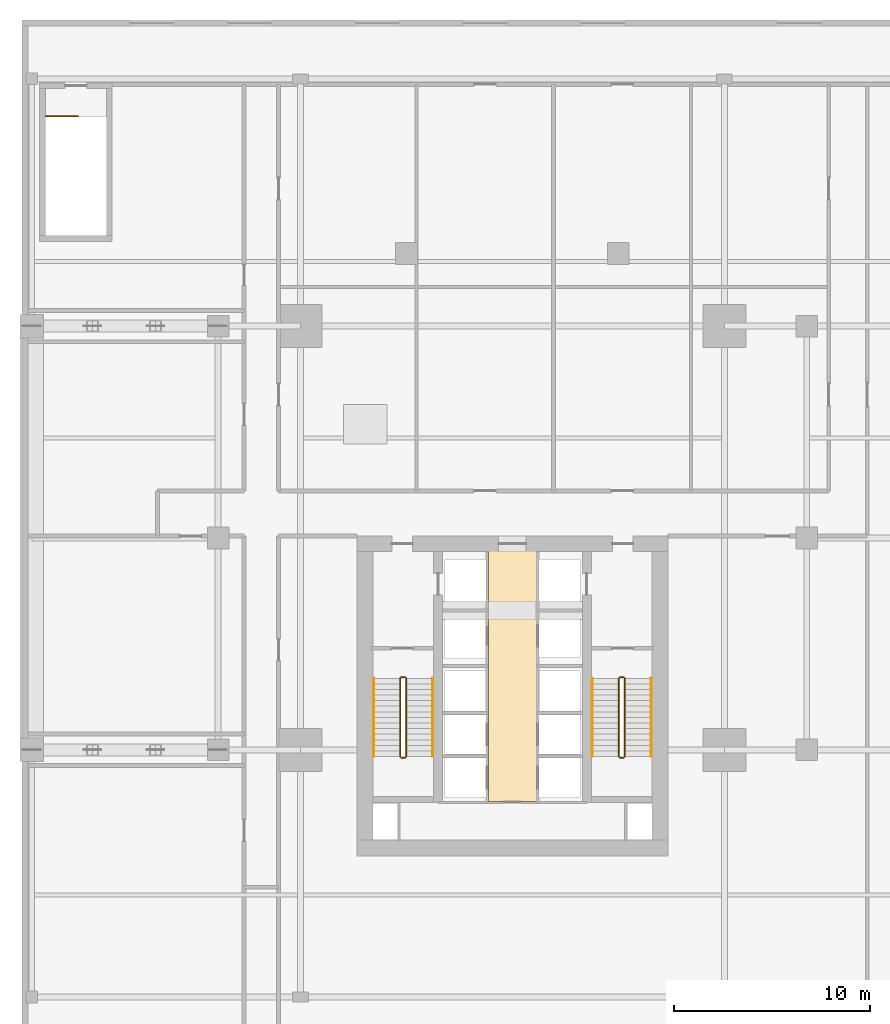
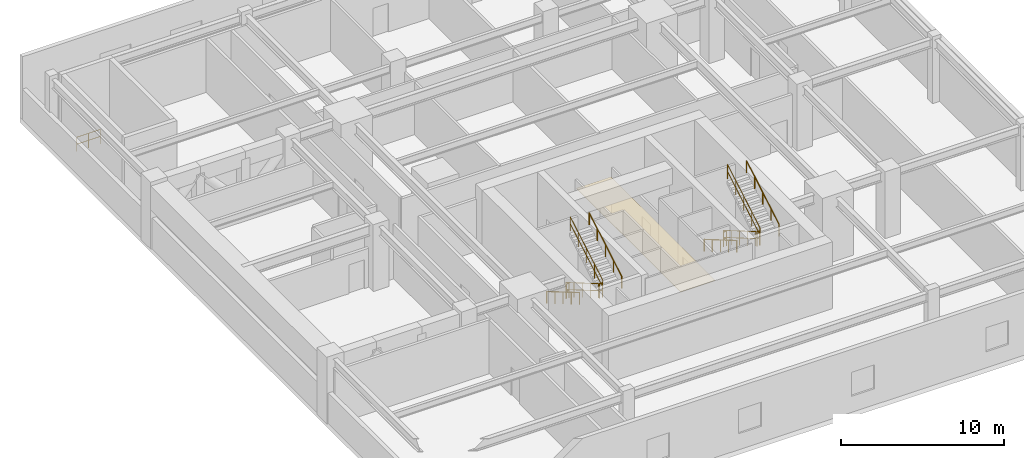
# One storey, part 6 of 7: 13 railings, 1 covering.
"""IFC4 building model written with IfcOpenShell, lengths in metres."""

import ifcopenshell
import ifcopenshell.guid

model = None  # the IFC model being written
_history = None  # IfcOwnerHistory: only IFC2X3 demands one
_inside = {}  # id of a spatial element -> (the spatial element, [elements in it])
_under = {}  # id of a project, library or spatial element -> (it, [spatial elements below it])
_declared = {}  # id of a project -> (the project, [libraries it declares])
_typed = {}  # id of a type object -> (the type object, [elements of that type])
_made_of = {}  # id of a material, layer set ... -> (it, [elements and type objects made of it])


def new_model(schema):
    """Start an empty IFC model of exactly this schema.

    Asked for "IFC4X3", IfcOpenShell would pick the latest addendum, in which some entities
    have other attributes; the version numbers below select the first issue.
    IFC2X3 requires an IfcOwnerHistory on every rooted entity: one is made here for all.
    """
    global model, _history
    if schema == "IFC4X3":
        model = ifcopenshell.file(schema_version=(4, 3, 0, 0))
    else:
        model = ifcopenshell.file(schema=schema)
    _inside.clear()
    _under.clear()
    _declared.clear()
    _typed.clear()
    _made_of.clear()
    _history = None
    if model.schema == "IFC2X3":
        org = make("IfcOrganization", Name="unknown")
        user = make(
            "IfcPersonAndOrganization",
            ThePerson=make("IfcPerson", FamilyName="unknown"),
            TheOrganization=org,
        )
        app = make(
            "IfcApplication",
            ApplicationDeveloper=org,
            Version="unknown",
            ApplicationFullName="unknown",
            ApplicationIdentifier="unknown",
        )
        _history = make(
            "IfcOwnerHistory",
            OwningUser=user,
            OwningApplication=app,
            ChangeAction="ADDED",
            CreationDate=0,
        )
    return model


def make(cls, **values):
    """One entity of the class cls with the attributes given. An attribute that is None is left unset."""
    return model.create_entity(
        cls, **{name: value for name, value in values.items() if value is not None}
    )


def rooted(cls, **values):
    """An entity with a GlobalId (a new one), such as an element, a storey or a relation."""
    return make(cls, GlobalId=ifcopenshell.guid.new(), OwnerHistory=_history, **values)


def si_unit(unit_type, name, prefix=None):
    """IfcSIUnit, for example si_unit("LENGTHUNIT", "METRE", prefix="MILLI")."""
    return make("IfcSIUnit", UnitType=unit_type, Prefix=prefix, Name=name)


def assignment(units):
    """IfcUnitAssignment: the units of a project."""
    return None if units is None else make("IfcUnitAssignment", Units=units)


def point(xyz):
    """IfcCartesianPoint."""
    return None if xyz is None else make("IfcCartesianPoint", Coordinates=xyz)


def direction(xyz):
    """IfcDirection."""
    return None if xyz is None else make("IfcDirection", DirectionRatios=xyz)


def frame(location, z_axis=None, x_axis=None):
    """IfcAxis2Placement3D, a coordinate frame: its origin and axes. An axis left out is left unset."""
    return make(
        "IfcAxis2Placement3D",
        Location=point(location),
        Axis=direction(z_axis),
        RefDirection=direction(x_axis),
    )


def frame_2d(location, x_axis=None):
    """IfcAxis2Placement2D, a coordinate frame in the plane: its origin and x axis."""
    return make(
        "IfcAxis2Placement2D", Location=point(location), RefDirection=direction(x_axis)
    )


def origin():
    """The frame at (0, 0, 0) with its axes left unset."""
    return frame((0.0, 0.0, 0.0))


def origin_2d():
    """The frame at (0, 0) in the plane with its x axis left unset."""
    return frame_2d((0.0, 0.0))


def place(relative_to, where):
    """IfcLocalPlacement: puts the frame where relative to a parent placement (None: the world)."""
    return make(
        "IfcLocalPlacement", PlacementRelTo=relative_to, RelativePlacement=where
    )


def context(
    kind, dimensions, precision=None, world=None, true_north=None, identifier=None
):
    """IfcGeometricRepresentationContext, for example the 3D "Model" context."""
    return make(
        "IfcGeometricRepresentationContext",
        ContextIdentifier=identifier,
        ContextType=kind,
        CoordinateSpaceDimension=dimensions,
        Precision=precision,
        WorldCoordinateSystem=world,
        TrueNorth=true_north,
    )


def subcontext(parent, identifier, kind, view, scale=None):
    """IfcGeometricRepresentationSubContext, for example "Body" below "Model"."""
    return make(
        "IfcGeometricRepresentationSubContext",
        ContextIdentifier=identifier,
        ContextType=kind,
        ParentContext=parent,
        TargetScale=scale,
        TargetView=view,
    )


def project(units=None, contexts=None):
    """IfcProject with its units and contexts."""
    return rooted(
        "IfcProject",
        Name="project",
        RepresentationContexts=contexts,
        UnitsInContext=assignment(units),
    )


def spatial(cls, under=None, at=None, **own):
    """A site, building, storey or space (cls), placed at a placement, below another one or the project."""
    s = rooted(cls, ObjectPlacement=at, **own)
    if under is not None:
        _under.setdefault(under.id(), (under, []))[1].append(s)
    return s


def polyline(points):
    """IfcPolyline through the points."""
    return make("IfcPolyline", Points=[point(p) for p in points])


def profile(cls, at=None, kind="AREA", **sizes):
    """A parametric profile (cls). Its sizes go by their IFC names, for example OverallWidth=200.0."""
    return make(cls, ProfileType=kind, Position=at, **sizes)


def circle(**sizes):
    """IfcCircleProfileDef."""
    return profile("IfcCircleProfileDef", **sizes)


def outline(outer, holes=None, kind="AREA"):
    """IfcArbitraryClosedProfileDef: a profile drawn as a closed curve; with holes, ...WithVoids."""
    if holes is None:
        return make("IfcArbitraryClosedProfileDef", ProfileType=kind, OuterCurve=outer)
    return make(
        "IfcArbitraryProfileDefWithVoids",
        ProfileType=kind,
        OuterCurve=outer,
        InnerCurves=holes,
    )


def extrude(swept, where, along, depth):
    """IfcExtrudedAreaSolid: the profile swept, set in the frame where, extruded along a direction by depth."""
    return make(
        "IfcExtrudedAreaSolid",
        SweptArea=swept,
        Position=where,
        ExtrudedDirection=direction(along),
        Depth=depth,
    )


def shape(context_of_items, identifier, shape_type, items):
    """IfcShapeRepresentation: the items that make up one representation, for example the "Body"."""
    return make(
        "IfcShapeRepresentation",
        ContextOfItems=context_of_items,
        RepresentationIdentifier=identifier,
        RepresentationType=shape_type,
        Items=items,
    )


def material(Name=None, Category=None):
    """IfcMaterial."""
    return make("IfcMaterial", Name=Name, Category=Category)


def layer(
    of_material, thickness, ventilated=None, Name=None, Category=None, Priority=None
):
    """IfcMaterialLayer: one layer of a wall or slab, of a material (None: an air gap)."""
    return make(
        "IfcMaterialLayer",
        Material=of_material,
        LayerThickness=thickness,
        IsVentilated=ventilated,
        Name=Name,
        Category=Category,
        Priority=Priority,
    )


def layer_set(layers, Name=None):
    """IfcMaterialLayerSet."""
    return make("IfcMaterialLayerSet", MaterialLayers=layers, LayerSetName=Name)


def made_of(thing, what):
    """Note that an element or type object is made of a material, layer set ...; save() writes the relation."""
    if what is not None:
        _made_of.setdefault(what.id(), (what, []))[1].append(thing)
    return thing


def type_object(cls, material=None, **own):
    """A type object (cls), such as IfcWallType, which elements share."""
    return made_of(rooted(cls, **own), material)


def element(
    cls,
    number,
    at=None,
    inside=None,
    cuts=None,
    type_object=None,
    material=None,
    context=None,
    identifier="Body",
    shape_type=None,
    held_by="IfcProductDefinitionShape",
    body=None,
    shapes=None,
    **own,
):
    """One element of the class cls, such as IfcWall. Its Tag is "e" and its number.

    at: its placement. inside: the storey or other place that contains it. cuts: it is an
    opening in that element (IfcRelVoidsElement). A single representation is given by context,
    identifier, shape_type and body (its items); several are given by shapes. held_by: the class
    of the entity that holds the representations. save() writes the other relations.
    """
    e = rooted(cls, Tag="e%d" % number, ObjectPlacement=at, **own)
    if body is not None:
        shapes = [shape(context, identifier, shape_type, body)]
    if shapes is not None:
        e.Representation = make(held_by, Representations=shapes)
    if inside is not None:
        _inside.setdefault(inside.id(), (inside, []))[1].append(e)
    if cuts is not None:
        rooted(
            "IfcRelVoidsElement", RelatingBuildingElement=cuts, RelatedOpeningElement=e
        )
    if type_object is not None:
        _typed.setdefault(type_object.id(), (type_object, []))[1].append(e)
    return made_of(e, material)


def aggregate(whole, parts):
    """IfcRelAggregates: a whole, such as a stair, and the parts it consists of."""
    return rooted("IfcRelAggregates", RelatingObject=whole, RelatedObjects=parts)


def save(model, path):
    """Write the relations noted so far, then the file.

    IfcRelAggregates (storeys below a building ...), IfcRelContainedInSpatialStructure (elements
    in a storey), IfcRelDefinesByType, IfcRelAssociatesMaterial and IfcRelDeclares: one each for
    every whole, place, type object, material and project.
    """
    for whole, parts in _under.values():
        aggregate(whole, parts)
    for where, things in _inside.values():
        rooted(
            "IfcRelContainedInSpatialStructure",
            RelatedElements=things,
            RelatingStructure=where,
        )
    for kind, things in _typed.values():
        rooted("IfcRelDefinesByType", RelatedObjects=things, RelatingType=kind)
    for what, things in _made_of.values():
        rooted("IfcRelAssociatesMaterial", RelatedObjects=things, RelatingMaterial=what)
    for by, libraries in _declared.values():
        rooted("IfcRelDeclares", RelatingContext=by, RelatedDefinitions=libraries)
    model.write(path)


model = new_model("IFC4")

# Units and contexts
model_context = context("Model", 3, precision=1e-05, world=origin(), true_north=direction((0.0, 1.0)))
body_context = subcontext(model_context, "Body", "Model", "MODEL_VIEW")
ifc_project = project(units=[si_unit("LENGTHUNIT", "METRE"), si_unit("AREAUNIT", "SQUARE_METRE"), si_unit("VOLUMEUNIT", "CUBIC_METRE"), si_unit("PLANEANGLEUNIT", "RADIAN"), si_unit("MASSUNIT", "GRAM", prefix="KILO")], contexts=[model_context])

# Site, building, storey
site_placement = place(None, origin())
site = spatial("IfcSite", under=ifc_project, at=site_placement, CompositionType="ELEMENT")
building_placement = place(site_placement, origin())
building = spatial("IfcBuilding", under=site, at=building_placement, Name="Krantzveldt Concourse Tower", CompositionType="ELEMENT")
storey_placement = place(building_placement, frame((0.0, 0.0, 20.0)))
storey = spatial("IfcBuildingStorey", under=building, at=storey_placement, Name="L04", CompositionType="ELEMENT", Elevation=20.0)

# Covering
ifc_material_1 = material(Name="Perforated acoustic mineral-fibre ceiling tile", Category="ceiling")
ifc_layer_1 = layer(ifc_material_1, 0.0400390625, Name="Perforated acoustic mineral-fibre ceiling tile", Category="ceiling")
ifc_layer_set_1 = layer_set([ifc_layer_1], Name="Perforated acoustic mineral-fibre ceiling tile (COV-CEIL-ACOUSTIC)")
covering_type = type_object("IfcCoveringType", Name="COV-CEIL-ACOUSTIC", PredefinedType="CEILING", material=ifc_layer_set_1)
covering_placement = place(storey_placement, frame((0.0, 0.0, 2.75)))
element("IfcCovering", 1, at=covering_placement, inside=storey, type_object=covering_type, Name="CLG-L04-LLB", PredefinedType="CEILING", context=body_context, shape_type="SweptSolid", body=[
    extrude(outline(polyline([(34.77490234375, 13.27490234375), (34.77490234375, 26.044921875), (37.22509765625, 26.044921875), (37.22509765625, 13.27490234375), (34.77490234375, 13.27490234375)])), origin(), (0.0, 0.0, 1.0), 0.0400390625),
])

# Railings
ifc_material_2 = material(Name="Stainless steel 316L", Category="steel")
ifc_layer_2 = layer(ifc_material_2, 0.06005859375, Name="Stainless steel 316L", Category="steel")
ifc_layer_set_2 = layer_set([ifc_layer_2], Name="Stainless steel 316L (RL-GUARD-1120)")
railing_type_1 = type_object("IfcRailingType", Name="RL-GUARD-1120", PredefinedType="GUARDRAIL", material=ifc_layer_set_2)
railing_1_placement = place(storey_placement, frame((30.280029296875, 19.550048828125, 0.166748046875)))
element("IfcRailing", 2, at=railing_1_placement, inside=storey, type_object=railing_type_1, Name="L04 ST-1 stair guard 1", PredefinedType="GUARDRAIL", context=body_context, shape_type="SweptSolid", body=[
    extrude(circle(Radius=0.02392578125, at=origin_2d()), frame((0.0, 0.0, 1.076171875), z_axis=(0.0, -0.863236243904, 0.504800145811), x_axis=(1.0, 0.0, 0.0)), (0.0, 0.0, 1.0), 4.6220703125),
    extrude(circle(Radius=0.02392578125, at=origin_2d()), frame((0.0, 0.0, 0.550048828125), z_axis=(0.0, -0.863236243904, 0.504800145811), x_axis=(1.0, 0.0, 0.0)), (0.0, 0.0, 1.0), 4.6220703125),
    extrude(circle(Radius=0.02099609375, at=origin_2d()), origin(), (0.0, 0.0, 1.0), 1.052001953125),
    extrude(circle(Radius=0.02099609375, at=origin_2d()), frame((0.0, -0.99755859375, 0.583251953125)), (0.0, 0.0, 1.0), 1.052001953125),
    extrude(circle(Radius=0.02099609375, at=origin_2d()), frame((0.0, -1.9951171875, 1.16650390625)), (0.0, 0.0, 1.0), 1.052001953125),
    extrude(circle(Radius=0.02099609375, at=origin_2d()), frame((0.0, -2.992431640625, 1.75)), (0.0, 0.0, 1.0), 1.052001953125),
    extrude(circle(Radius=0.02099609375, at=origin_2d()), frame((0.0, -3.989990234375, 2.333251953125)), (0.0, 0.0, 1.0), 1.052001953125),
])
railing_2_placement = place(storey_placement, frame((30.330078125, 15.510009765625, 2.5)))
element("IfcRailing", 3, at=railing_2_placement, inside=storey, type_object=railing_type_1, Name="L04 ST-1 stair guard 2", PredefinedType="GUARDRAIL", context=body_context, shape_type="SweptSolid", body=[
    extrude(circle(Radius=0.02392578125, at=origin_2d()), frame((0.0, 0.0, 1.076171875), z_axis=(1.0, 0.0, 0.0), x_axis=(0.0, 1.0, 0.0)), (0.0, 0.0, 1.0), 0.199951171875),
    extrude(circle(Radius=0.02392578125, at=origin_2d()), frame((0.0, 0.0, 0.550048828125), z_axis=(1.0, 0.0, 0.0), x_axis=(0.0, 1.0, 0.0)), (0.0, 0.0, 1.0), 0.199951171875),
    extrude(circle(Radius=0.02099609375, at=origin_2d()), origin(), (0.0, 0.0, 1.0), 1.052001953125),
    extrude(circle(Radius=0.02099609375, at=origin_2d()), frame((0.199951171875, 0.0, 0.0)), (0.0, 0.0, 1.0), 1.052001953125),
])
railing_3_placement = place(storey_placement, frame((30.580078125, 15.56005859375, 2.666748046875)))
element("IfcRailing", 4, at=railing_3_placement, inside=storey, type_object=railing_type_1, Name="L04 ST-1 stair guard 3", PredefinedType="GUARDRAIL", context=body_context, shape_type="SweptSolid", body=[
    extrude(circle(Radius=0.02392578125, at=origin_2d()), frame((0.0, 0.0, 1.076171875), z_axis=(0.0, 0.863236243904, 0.504800145811), x_axis=(-1.0, 0.0, 0.0)), (0.0, 0.0, 1.0), 4.6220703125),
    extrude(circle(Radius=0.02392578125, at=origin_2d()), frame((0.0, 0.0, 0.550048828125), z_axis=(0.0, 0.863236243904, 0.504800145811), x_axis=(-1.0, 0.0, 0.0)), (0.0, 0.0, 1.0), 4.6220703125),
    extrude(circle(Radius=0.02099609375, at=origin_2d()), origin(), (0.0, 0.0, 1.0), 1.052001953125),
    extrude(circle(Radius=0.02099609375, at=origin_2d()), frame((0.0, 0.99755859375, 0.583251953125)), (0.0, 0.0, 1.0), 1.052001953125),
    extrude(circle(Radius=0.02099609375, at=origin_2d()), frame((0.0, 1.9951171875, 1.16650390625)), (0.0, 0.0, 1.0), 1.052001953125),
    extrude(circle(Radius=0.02099609375, at=origin_2d()), frame((0.0, 2.992431640625, 1.75)), (0.0, 0.0, 1.0), 1.052001953125),
    extrude(circle(Radius=0.02099609375, at=origin_2d()), frame((0.0, 3.989990234375, 2.333251953125)), (0.0, 0.0, 1.0), 1.052001953125),
])
railing_4_placement = place(storey_placement, frame((30.330078125, 19.60009765625, 0.0)))
element("IfcRailing", 5, at=railing_4_placement, inside=storey, type_object=railing_type_1, Name="L04 ST-1 stair guard 4", PredefinedType="GUARDRAIL", context=body_context, shape_type="SweptSolid", body=[
    extrude(circle(Radius=0.02392578125, at=origin_2d()), frame((0.0, 0.0, 1.076171875), z_axis=(1.0, 0.0, 0.0), x_axis=(0.0, 1.0, 0.0)), (0.0, 0.0, 1.0), 0.199951171875),
    extrude(circle(Radius=0.02392578125, at=origin_2d()), frame((0.0, 0.0, 0.550048828125), z_axis=(1.0, 0.0, 0.0), x_axis=(0.0, 1.0, 0.0)), (0.0, 0.0, 1.0), 0.199951171875),
    extrude(circle(Radius=0.02099609375, at=origin_2d()), origin(), (0.0, 0.0, 1.0), 1.052001953125),
    extrude(circle(Radius=0.02099609375, at=origin_2d()), frame((0.199951171875, 0.0, 0.0)), (0.0, 0.0, 1.0), 1.052001953125),
])
railing_5_placement = place(storey_placement, frame((41.419921875, 19.550048828125, 0.166748046875)))
element("IfcRailing", 6, at=railing_5_placement, inside=storey, type_object=railing_type_1, Name="L04 ST-2 stair guard 1", PredefinedType="GUARDRAIL", context=body_context, shape_type="SweptSolid", body=[
    extrude(circle(Radius=0.02392578125, at=origin_2d()), frame((0.0, 0.0, 1.076171875), z_axis=(0.0, -0.863236243904, 0.504800145811), x_axis=(1.0, 0.0, 0.0)), (0.0, 0.0, 1.0), 4.6220703125),
    extrude(circle(Radius=0.02392578125, at=origin_2d()), frame((0.0, 0.0, 0.550048828125), z_axis=(0.0, -0.863236243904, 0.504800145811), x_axis=(1.0, 0.0, 0.0)), (0.0, 0.0, 1.0), 4.6220703125),
    extrude(circle(Radius=0.02099609375, at=origin_2d()), origin(), (0.0, 0.0, 1.0), 1.052001953125),
    extrude(circle(Radius=0.02099609375, at=origin_2d()), frame((0.0, -0.99755859375, 0.583251953125)), (0.0, 0.0, 1.0), 1.052001953125),
    extrude(circle(Radius=0.02099609375, at=origin_2d()), frame((0.0, -1.9951171875, 1.16650390625)), (0.0, 0.0, 1.0), 1.052001953125),
    extrude(circle(Radius=0.02099609375, at=origin_2d()), frame((0.0, -2.992431640625, 1.75)), (0.0, 0.0, 1.0), 1.052001953125),
    extrude(circle(Radius=0.02099609375, at=origin_2d()), frame((0.0, -3.989990234375, 2.333251953125)), (0.0, 0.0, 1.0), 1.052001953125),
])
railing_6_placement = place(storey_placement, frame((41.469970703125, 15.510009765625, 2.5)))
element("IfcRailing", 7, at=railing_6_placement, inside=storey, type_object=railing_type_1, Name="L04 ST-2 stair guard 2", PredefinedType="GUARDRAIL", context=body_context, shape_type="SweptSolid", body=[
    extrude(circle(Radius=0.02392578125, at=origin_2d()), frame((0.0, 0.0, 1.076171875), z_axis=(1.0, 0.0, 0.0), x_axis=(0.0, 1.0, 0.0)), (0.0, 0.0, 1.0), 0.199951171875),
    extrude(circle(Radius=0.02392578125, at=origin_2d()), frame((0.0, 0.0, 0.550048828125), z_axis=(1.0, 0.0, 0.0), x_axis=(0.0, 1.0, 0.0)), (0.0, 0.0, 1.0), 0.199951171875),
    extrude(circle(Radius=0.02099609375, at=origin_2d()), origin(), (0.0, 0.0, 1.0), 1.052001953125),
    extrude(circle(Radius=0.02099609375, at=origin_2d()), frame((0.199951171875, 0.0, 0.0)), (0.0, 0.0, 1.0), 1.052001953125),
])
railing_7_placement = place(storey_placement, frame((41.719970703125, 15.56005859375, 2.666748046875)))
element("IfcRailing", 8, at=railing_7_placement, inside=storey, type_object=railing_type_1, Name="L04 ST-2 stair guard 3", PredefinedType="GUARDRAIL", context=body_context, shape_type="SweptSolid", body=[
    extrude(circle(Radius=0.02392578125, at=origin_2d()), frame((0.0, 0.0, 1.076171875), z_axis=(0.0, 0.863236243904, 0.504800145811), x_axis=(-1.0, 0.0, 0.0)), (0.0, 0.0, 1.0), 4.6220703125),
    extrude(circle(Radius=0.02392578125, at=origin_2d()), frame((0.0, 0.0, 0.550048828125), z_axis=(0.0, 0.863236243904, 0.504800145811), x_axis=(-1.0, 0.0, 0.0)), (0.0, 0.0, 1.0), 4.6220703125),
    extrude(circle(Radius=0.02099609375, at=origin_2d()), origin(), (0.0, 0.0, 1.0), 1.052001953125),
    extrude(circle(Radius=0.02099609375, at=origin_2d()), frame((0.0, 0.99755859375, 0.583251953125)), (0.0, 0.0, 1.0), 1.052001953125),
    extrude(circle(Radius=0.02099609375, at=origin_2d()), frame((0.0, 1.9951171875, 1.16650390625)), (0.0, 0.0, 1.0), 1.052001953125),
    extrude(circle(Radius=0.02099609375, at=origin_2d()), frame((0.0, 2.992431640625, 1.75)), (0.0, 0.0, 1.0), 1.052001953125),
    extrude(circle(Radius=0.02099609375, at=origin_2d()), frame((0.0, 3.989990234375, 2.333251953125)), (0.0, 0.0, 1.0), 1.052001953125),
])
railing_8_placement = place(storey_placement, frame((41.469970703125, 19.60009765625, 0.0)))
element("IfcRailing", 9, at=railing_8_placement, inside=storey, type_object=railing_type_1, Name="L04 ST-2 stair guard 4", PredefinedType="GUARDRAIL", context=body_context, shape_type="SweptSolid", body=[
    extrude(circle(Radius=0.02392578125, at=origin_2d()), frame((0.0, 0.0, 1.076171875), z_axis=(1.0, 0.0, 0.0), x_axis=(0.0, 1.0, 0.0)), (0.0, 0.0, 1.0), 0.199951171875),
    extrude(circle(Radius=0.02392578125, at=origin_2d()), frame((0.0, 0.0, 0.550048828125), z_axis=(1.0, 0.0, 0.0), x_axis=(0.0, 1.0, 0.0)), (0.0, 0.0, 1.0), 0.199951171875),
    extrude(circle(Radius=0.02099609375, at=origin_2d()), origin(), (0.0, 0.0, 1.0), 1.052001953125),
    extrude(circle(Radius=0.02099609375, at=origin_2d()), frame((0.199951171875, 0.0, 0.0)), (0.0, 0.0, 1.0), 1.052001953125),
])
railing_9_placement = place(storey_placement, frame((12.199951171875, 48.199951171875, 0.0)))
element("IfcRailing", 10, at=railing_9_placement, inside=storey, type_object=railing_type_1, Name="L04 ST-3 top well guard 1", PredefinedType="GUARDRAIL", context=body_context, shape_type="SweptSolid", body=[
    extrude(circle(Radius=0.02392578125, at=origin_2d()), frame((0.0, 0.0, 1.076171875), z_axis=(1.0, 0.0, 0.0), x_axis=(0.0, 1.0, 0.0)), (0.0, 0.0, 1.0), 1.650146484375),
    extrude(circle(Radius=0.02392578125, at=origin_2d()), frame((0.0, 0.0, 0.550048828125), z_axis=(1.0, 0.0, 0.0), x_axis=(0.0, 1.0, 0.0)), (0.0, 0.0, 1.0), 1.650146484375),
    extrude(circle(Radius=0.02099609375, at=origin_2d()), origin(), (0.0, 0.0, 1.0), 1.052001953125),
    extrude(circle(Radius=0.02099609375, at=origin_2d()), frame((0.8251953125, 0.0, 0.0)), (0.0, 0.0, 1.0), 1.052001953125),
    extrude(circle(Radius=0.02099609375, at=origin_2d()), frame((1.650146484375, 0.0, 0.0)), (0.0, 0.0, 1.0), 1.052001953125),
])
ifc_layer_3 = layer(ifc_material_2, 0.050048828125, Name="Stainless steel 316L", Category="steel")
ifc_layer_set_3 = layer_set([ifc_layer_3], Name="Stainless steel 316L (RL-HANDRAIL-920)")
railing_type_2 = type_object("IfcRailingType", Name="RL-HANDRAIL-920", PredefinedType="HANDRAIL", material=ifc_layer_set_3)
railing_10_placement = place(storey_placement, frame((28.929931640625, 19.550048828125, 0.166748046875)))
element("IfcRailing", 11, at=railing_10_placement, inside=storey, type_object=railing_type_2, Name="L04 ST-1 stair handrail 1", PredefinedType="HANDRAIL", context=body_context, shape_type="SweptSolid", body=[
    extrude(circle(Radius=0.02392578125, at=origin_2d()), frame((0.0, 0.0, 0.8759765625), z_axis=(0.0, -0.863236243904, 0.504800145811), x_axis=(1.0, 0.0, 0.0)), (0.0, 0.0, 1.0), 4.6220703125),
    extrude(circle(Radius=0.02099609375, at=origin_2d()), origin(), (0.0, 0.0, 1.0), 0.851806640625),
    extrude(circle(Radius=0.02099609375, at=origin_2d()), frame((0.0, -0.99755859375, 0.583251953125)), (0.0, 0.0, 1.0), 0.851806640625),
    extrude(circle(Radius=0.02099609375, at=origin_2d()), frame((0.0, -1.9951171875, 1.16650390625)), (0.0, 0.0, 1.0), 0.851806640625),
    extrude(circle(Radius=0.02099609375, at=origin_2d()), frame((0.0, -2.992431640625, 1.75)), (0.0, 0.0, 1.0), 0.851806640625),
    extrude(circle(Radius=0.02099609375, at=origin_2d()), frame((0.0, -3.989990234375, 2.333251953125)), (0.0, 0.0, 1.0), 0.851806640625),
])
railing_11_placement = place(storey_placement, frame((31.929931640625, 15.56005859375, 2.666748046875)))
element("IfcRailing", 12, at=railing_11_placement, inside=storey, type_object=railing_type_2, Name="L04 ST-1 stair handrail 2", PredefinedType="HANDRAIL", context=body_context, shape_type="SweptSolid", body=[
    extrude(circle(Radius=0.02392578125, at=origin_2d()), frame((0.0, 0.0, 0.8759765625), z_axis=(0.0, 0.863236243904, 0.504800145811), x_axis=(-1.0, 0.0, 0.0)), (0.0, 0.0, 1.0), 4.6220703125),
    extrude(circle(Radius=0.02099609375, at=origin_2d()), origin(), (0.0, 0.0, 1.0), 0.851806640625),
    extrude(circle(Radius=0.02099609375, at=origin_2d()), frame((0.0, 0.99755859375, 0.583251953125)), (0.0, 0.0, 1.0), 0.851806640625),
    extrude(circle(Radius=0.02099609375, at=origin_2d()), frame((0.0, 1.9951171875, 1.16650390625)), (0.0, 0.0, 1.0), 0.851806640625),
    extrude(circle(Radius=0.02099609375, at=origin_2d()), frame((0.0, 2.992431640625, 1.75)), (0.0, 0.0, 1.0), 0.851806640625),
    extrude(circle(Radius=0.02099609375, at=origin_2d()), frame((0.0, 3.989990234375, 2.333251953125)), (0.0, 0.0, 1.0), 0.851806640625),
])
railing_12_placement = place(storey_placement, frame((40.070068359375, 19.550048828125, 0.166748046875)))
element("IfcRailing", 13, at=railing_12_placement, inside=storey, type_object=railing_type_2, Name="L04 ST-2 stair handrail 1", PredefinedType="HANDRAIL", context=body_context, shape_type="SweptSolid", body=[
    extrude(circle(Radius=0.02392578125, at=origin_2d()), frame((0.0, 0.0, 0.8759765625), z_axis=(0.0, -0.863236243904, 0.504800145811), x_axis=(1.0, 0.0, 0.0)), (0.0, 0.0, 1.0), 4.6220703125),
    extrude(circle(Radius=0.02099609375, at=origin_2d()), origin(), (0.0, 0.0, 1.0), 0.851806640625),
    extrude(circle(Radius=0.02099609375, at=origin_2d()), frame((0.0, -0.99755859375, 0.583251953125)), (0.0, 0.0, 1.0), 0.851806640625),
    extrude(circle(Radius=0.02099609375, at=origin_2d()), frame((0.0, -1.9951171875, 1.16650390625)), (0.0, 0.0, 1.0), 0.851806640625),
    extrude(circle(Radius=0.02099609375, at=origin_2d()), frame((0.0, -2.992431640625, 1.75)), (0.0, 0.0, 1.0), 0.851806640625),
    extrude(circle(Radius=0.02099609375, at=origin_2d()), frame((0.0, -3.989990234375, 2.333251953125)), (0.0, 0.0, 1.0), 0.851806640625),
])
railing_13_placement = place(storey_placement, frame((43.070068359375, 15.56005859375, 2.666748046875)))
element("IfcRailing", 14, at=railing_13_placement, inside=storey, type_object=railing_type_2, Name="L04 ST-2 stair handrail 2", PredefinedType="HANDRAIL", context=body_context, shape_type="SweptSolid", body=[
    extrude(circle(Radius=0.02392578125, at=origin_2d()), frame((0.0, 0.0, 0.8759765625), z_axis=(0.0, 0.863236243904, 0.504800145811), x_axis=(-1.0, 0.0, 0.0)), (0.0, 0.0, 1.0), 4.6220703125),
    extrude(circle(Radius=0.02099609375, at=origin_2d()), origin(), (0.0, 0.0, 1.0), 0.851806640625),
    extrude(circle(Radius=0.02099609375, at=origin_2d()), frame((0.0, 0.99755859375, 0.583251953125)), (0.0, 0.0, 1.0), 0.851806640625),
    extrude(circle(Radius=0.02099609375, at=origin_2d()), frame((0.0, 1.9951171875, 1.16650390625)), (0.0, 0.0, 1.0), 0.851806640625),
    extrude(circle(Radius=0.02099609375, at=origin_2d()), frame((0.0, 2.992431640625, 1.75)), (0.0, 0.0, 1.0), 0.851806640625),
    extrude(circle(Radius=0.02099609375, at=origin_2d()), frame((0.0, 3.989990234375, 2.333251953125)), (0.0, 0.0, 1.0), 0.851806640625),
])

save(model, "model.ifc")
